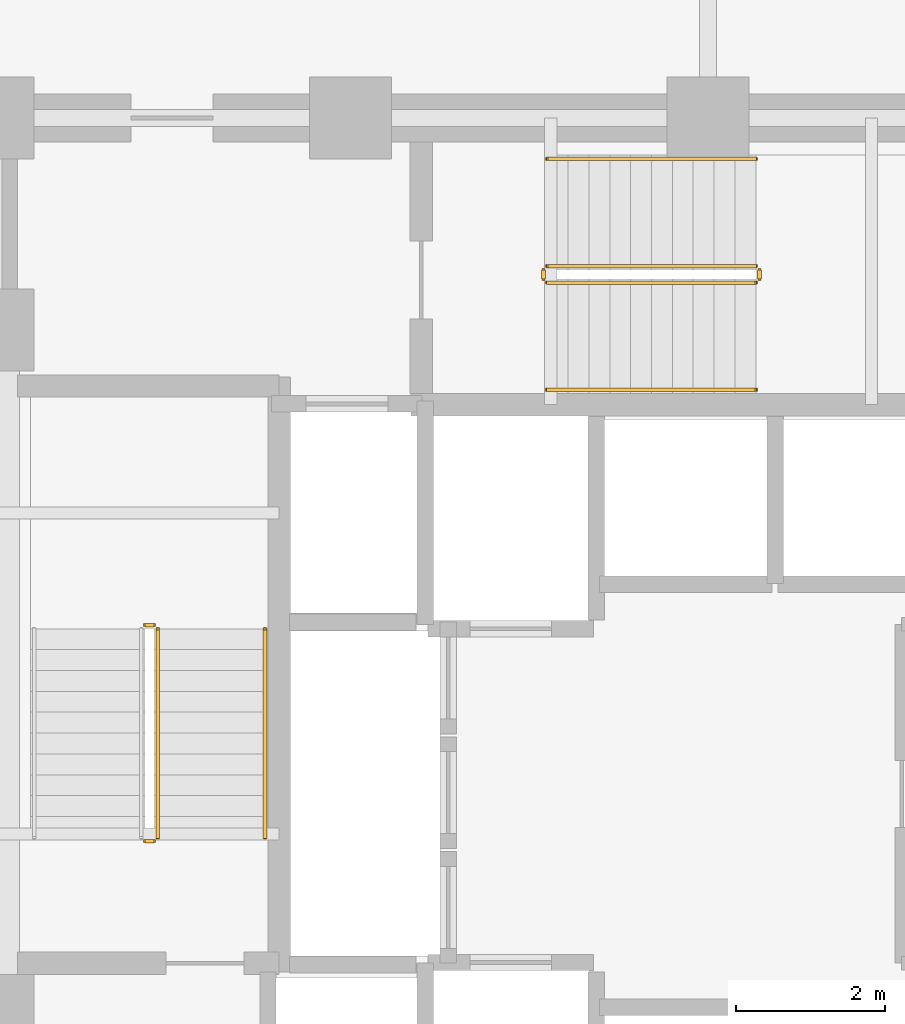
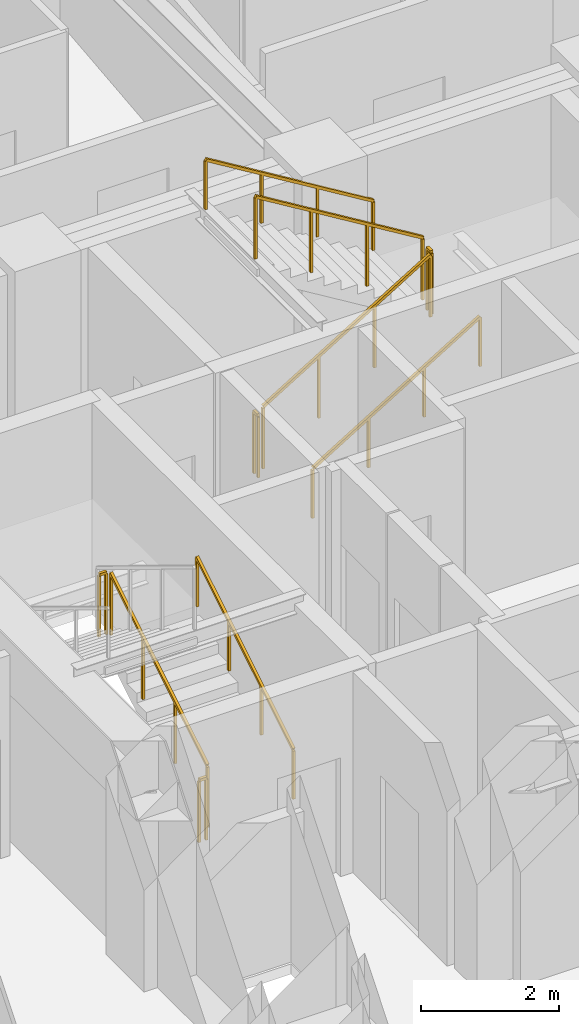
# One storey, part 26 of 29: 10 railings.
"""IFC4 building model written with IfcOpenShell, lengths in metres."""

from ifc_helpers import new_model, si_unit, direction, frame, origin, origin_2d, place, context, subcontext, project, spatial, rectangle, extrude, material, type_object, element, save


model = new_model("IFC4")

# Units and contexts
model_context = context("Model", 3, precision=1e-05, world=origin(), true_north=direction((0.0, 1.0)))
body_context = subcontext(model_context, "Body", "Model", "MODEL_VIEW")
ifc_project = project(units=[si_unit("LENGTHUNIT", "METRE"), si_unit("AREAUNIT", "SQUARE_METRE"), si_unit("VOLUMEUNIT", "CUBIC_METRE"), si_unit("PLANEANGLEUNIT", "RADIAN"), si_unit("MASSUNIT", "GRAM", prefix="KILO")], contexts=[model_context])

# Site, building, storey
site_placement = place(None, origin())
site = spatial("IfcSite", under=ifc_project, at=site_placement, CompositionType="ELEMENT")
building_placement = place(site_placement, origin())
building = spatial("IfcBuilding", under=site, at=building_placement, Name="Vantalir Tower", CompositionType="ELEMENT")
storey_placement = place(building_placement, frame((0.0, 0.0, 60.75)))
storey = spatial("IfcBuildingStorey", under=building, at=storey_placement, Name="L14", CompositionType="ELEMENT", Elevation=60.75)

# Railings
ifc_material_1 = material(Name="Anodised aluminium and stainless steel guard", Category="steel")
railing_type_1 = type_object("IfcRailingType", Name="RAL-GUARD-1120", PredefinedType="GUARDRAIL", material=ifc_material_1)
railing_1_placement = place(storey_placement, frame((24.110107421875, 22.7900390625, 0.17041015625)))
element("IfcRailing", 1, at=railing_1_placement, inside=storey, type_object=railing_type_1, Name="L14 ST1 stair guard 1", PredefinedType="GUARDRAIL", context=body_context, shape_type="SweptSolid", body=[
    extrude(rectangle(XDim=0.048095703125, YDim=0.048095703125, at=origin_2d()), frame((0.0, 0.0, 1.09619140625), z_axis=(0.0, 0.854169791009, 0.51999420009), x_axis=(-1.0, 0.0, 0.0)), (0.0, 0.0, 1.0), 3.278076171875),
    extrude(rectangle(XDim=0.0419921875, YDim=0.0419921875, at=origin_2d()), origin(), (0.0, 0.0, 1.0), 1.072021484375),
    extrude(rectangle(XDim=0.0419921875, YDim=0.0419921875, at=origin_2d()), frame((0.0, 0.933349609375, 0.568115234375)), (0.0, 0.0, 1.0), 1.072021484375),
    extrude(rectangle(XDim=0.0419921875, YDim=0.0419921875, at=origin_2d()), frame((0.0, 1.86669921875, 1.136474609375)), (0.0, 0.0, 1.0), 1.072021484375),
    extrude(rectangle(XDim=0.0419921875, YDim=0.0419921875, at=origin_2d()), frame((0.0, 2.800048828125, 1.70458984375)), (0.0, 0.0, 1.0), 1.072021484375),
])
for number, where, name in (
    (2, (24.06005859375, 25.639892578125, 1.875), "L14 ST1 stair guard 2"),
    (3, (24.06005859375, 22.739990234375, 0.0), "L14 ST1 stair guard 4"),
):
    element("IfcRailing", number, at=place(storey_placement, frame(where)), inside=storey, type_object=railing_type_1, Name=name, PredefinedType="GUARDRAIL", context=body_context, shape_type="SweptSolid", body=[
        extrude(rectangle(XDim=0.048095703125, YDim=0.048095703125, at=origin_2d()), frame((0.0, 0.0, 1.09619140625), z_axis=(-1.0, 0.0, 0.0), x_axis=(0.0, -1.0, 0.0)), (0.0, 0.0, 1.0), 0.1201171875),
        extrude(rectangle(XDim=0.0419921875, YDim=0.0419921875, at=origin_2d()), origin(), (0.0, 0.0, 1.0), 1.072021484375),
        extrude(rectangle(XDim=0.0419921875, YDim=0.0419921875, at=origin_2d()), frame((-0.1201171875, 0.0, 0.0)), (0.0, 0.0, 1.0), 1.072021484375),
    ])
railing_2_placement = place(storey_placement, frame((29.340087890625, 30.239990234375, 0.17041015625)))
element("IfcRailing", 4, at=railing_2_placement, inside=storey, type_object=railing_type_1, Name="L14 ST3 stair guard 1", PredefinedType="GUARDRAIL", context=body_context, shape_type="SweptSolid", body=[
    extrude(rectangle(XDim=0.048095703125, YDim=0.048095703125, at=origin_2d()), frame((0.0, 0.0, 1.09619140625), z_axis=(0.854149651119, 0.0, 0.520027281489), x_axis=(0.0, 1.0, 0.0)), (0.0, 0.0, 1.0), 3.27783203125),
    extrude(rectangle(XDim=0.0419921875, YDim=0.0419921875, at=origin_2d()), origin(), (0.0, 0.0, 1.0), 1.072021484375),
    extrude(rectangle(XDim=0.0419921875, YDim=0.0419921875, at=origin_2d()), frame((0.933349609375, 0.0, 0.568115234375)), (0.0, 0.0, 1.0), 1.072021484375),
    extrude(rectangle(XDim=0.0419921875, YDim=0.0419921875, at=origin_2d()), frame((1.866455078125, 0.0, 1.136474609375)), (0.0, 0.0, 1.0), 1.072021484375),
    extrude(rectangle(XDim=0.0419921875, YDim=0.0419921875, at=origin_2d()), frame((2.7998046875, 0.0, 1.70458984375)), (0.0, 0.0, 1.0), 1.072021484375),
])
railing_3_placement = place(storey_placement, frame((32.18994140625, 30.2900390625, 1.875)))
element("IfcRailing", 5, at=railing_3_placement, inside=storey, type_object=railing_type_1, Name="L14 ST3 stair guard 2", PredefinedType="GUARDRAIL", context=body_context, shape_type="SweptSolid", body=[
    extrude(rectangle(XDim=0.048095703125, YDim=0.048095703125, at=origin_2d()), frame((0.0, 0.0, 1.09619140625), z_axis=(0.0, 1.0, 0.0), x_axis=(-1.0, 0.0, 0.0)), (0.0, 0.0, 1.0), 0.119873046875),
    extrude(rectangle(XDim=0.0419921875, YDim=0.0419921875, at=origin_2d()), origin(), (0.0, 0.0, 1.0), 1.072021484375),
    extrude(rectangle(XDim=0.0419921875, YDim=0.0419921875, at=origin_2d()), frame((0.0, 0.119873046875, 0.0)), (0.0, 0.0, 1.0), 1.072021484375),
])
railing_4_placement = place(storey_placement, frame((32.139892578125, 30.4599609375, 2.04541015625)))
element("IfcRailing", 6, at=railing_4_placement, inside=storey, type_object=railing_type_1, Name="L14 ST3 stair guard 3", PredefinedType="GUARDRAIL", context=body_context, shape_type="SweptSolid", body=[
    extrude(rectangle(XDim=0.048095703125, YDim=0.048095703125, at=origin_2d()), frame((0.0, 0.0, 1.09619140625), z_axis=(-0.854149651119, 0.0, 0.520027281489), x_axis=(0.0, -1.0, 0.0)), (0.0, 0.0, 1.0), 3.27783203125),
    extrude(rectangle(XDim=0.0419921875, YDim=0.0419921875, at=origin_2d()), origin(), (0.0, 0.0, 1.0), 1.072021484375),
    extrude(rectangle(XDim=0.0419921875, YDim=0.0419921875, at=origin_2d()), frame((-0.933349609375, 0.0, 0.568115234375)), (0.0, 0.0, 1.0), 1.072021484375),
    extrude(rectangle(XDim=0.0419921875, YDim=0.0419921875, at=origin_2d()), frame((-1.866455078125, 0.0, 1.136474609375)), (0.0, 0.0, 1.0), 1.072021484375),
    extrude(rectangle(XDim=0.0419921875, YDim=0.0419921875, at=origin_2d()), frame((-2.7998046875, 0.0, 1.70458984375)), (0.0, 0.0, 1.0), 1.072021484375),
])
railing_5_placement = place(storey_placement, frame((29.2900390625, 30.2900390625, 0.0)))
element("IfcRailing", 7, at=railing_5_placement, inside=storey, type_object=railing_type_1, Name="L14 ST3 stair guard 4", PredefinedType="GUARDRAIL", context=body_context, shape_type="SweptSolid", body=[
    extrude(rectangle(XDim=0.048095703125, YDim=0.048095703125, at=origin_2d()), frame((0.0, 0.0, 1.09619140625), z_axis=(0.0, 1.0, 0.0), x_axis=(-1.0, 0.0, 0.0)), (0.0, 0.0, 1.0), 0.119873046875),
    extrude(rectangle(XDim=0.0419921875, YDim=0.0419921875, at=origin_2d()), origin(), (0.0, 0.0, 1.0), 1.072021484375),
    extrude(rectangle(XDim=0.0419921875, YDim=0.0419921875, at=origin_2d()), frame((0.0, 0.119873046875, 0.0)), (0.0, 0.0, 1.0), 1.072021484375),
])
ifc_material_2 = material(Name="Brushed stainless steel tubular handrail", Category="steel")
railing_type_2 = type_object("IfcRailingType", Name="RAL-HANDRAIL-900", PredefinedType="HANDRAIL", material=ifc_material_2)
railing_6_placement = place(storey_placement, frame((25.550048828125, 22.7900390625, 0.17041015625)))
element("IfcRailing", 8, at=railing_6_placement, inside=storey, type_object=railing_type_2, Name="L14 ST1 stair handrail 1", PredefinedType="HANDRAIL", context=body_context, shape_type="SweptSolid", body=[
    extrude(rectangle(XDim=0.048095703125, YDim=0.048095703125, at=origin_2d()), frame((0.0, 0.0, 0.8759765625), z_axis=(0.0, 0.854169791009, 0.51999420009), x_axis=(-1.0, 0.0, 0.0)), (0.0, 0.0, 1.0), 3.278076171875),
    extrude(rectangle(XDim=0.0419921875, YDim=0.0419921875, at=origin_2d()), origin(), (0.0, 0.0, 1.0), 0.851806640625),
    extrude(rectangle(XDim=0.0419921875, YDim=0.0419921875, at=origin_2d()), frame((0.0, 0.933349609375, 0.568115234375)), (0.0, 0.0, 1.0), 0.851806640625),
    extrude(rectangle(XDim=0.0419921875, YDim=0.0419921875, at=origin_2d()), frame((0.0, 1.86669921875, 1.136474609375)), (0.0, 0.0, 1.0), 0.851806640625),
    extrude(rectangle(XDim=0.0419921875, YDim=0.0419921875, at=origin_2d()), frame((0.0, 2.800048828125, 1.70458984375)), (0.0, 0.0, 1.0), 0.851806640625),
])
railing_7_placement = place(storey_placement, frame((29.340087890625, 28.800048828125, 0.17041015625)))
element("IfcRailing", 9, at=railing_7_placement, inside=storey, type_object=railing_type_2, Name="L14 ST3 stair handrail 1", PredefinedType="HANDRAIL", context=body_context, shape_type="SweptSolid", body=[
    extrude(rectangle(XDim=0.048095703125, YDim=0.048095703125, at=origin_2d()), frame((0.0, 0.0, 0.8759765625), z_axis=(0.854149651119, 0.0, 0.520027281489), x_axis=(0.0, 1.0, 0.0)), (0.0, 0.0, 1.0), 3.27783203125),
    extrude(rectangle(XDim=0.0419921875, YDim=0.0419921875, at=origin_2d()), origin(), (0.0, 0.0, 1.0), 0.851806640625),
    extrude(rectangle(XDim=0.0419921875, YDim=0.0419921875, at=origin_2d()), frame((0.933349609375, 0.0, 0.568115234375)), (0.0, 0.0, 1.0), 0.851806640625),
    extrude(rectangle(XDim=0.0419921875, YDim=0.0419921875, at=origin_2d()), frame((1.866455078125, 0.0, 1.136474609375)), (0.0, 0.0, 1.0), 0.851806640625),
    extrude(rectangle(XDim=0.0419921875, YDim=0.0419921875, at=origin_2d()), frame((2.7998046875, 0.0, 1.70458984375)), (0.0, 0.0, 1.0), 0.851806640625),
])
railing_8_placement = place(storey_placement, frame((32.139892578125, 31.89990234375, 2.04541015625)))
element("IfcRailing", 10, at=railing_8_placement, inside=storey, type_object=railing_type_2, Name="L14 ST3 stair handrail 2", PredefinedType="HANDRAIL", context=body_context, shape_type="SweptSolid", body=[
    extrude(rectangle(XDim=0.048095703125, YDim=0.048095703125, at=origin_2d()), frame((0.0, 0.0, 0.8759765625), z_axis=(-0.854149651119, 0.0, 0.520027281489), x_axis=(0.0, -1.0, 0.0)), (0.0, 0.0, 1.0), 3.27783203125),
    extrude(rectangle(XDim=0.0419921875, YDim=0.0419921875, at=origin_2d()), origin(), (0.0, 0.0, 1.0), 0.851806640625),
    extrude(rectangle(XDim=0.0419921875, YDim=0.0419921875, at=origin_2d()), frame((-0.933349609375, 0.0, 0.568115234375)), (0.0, 0.0, 1.0), 0.851806640625),
    extrude(rectangle(XDim=0.0419921875, YDim=0.0419921875, at=origin_2d()), frame((-1.866455078125, 0.0, 1.136474609375)), (0.0, 0.0, 1.0), 0.851806640625),
    extrude(rectangle(XDim=0.0419921875, YDim=0.0419921875, at=origin_2d()), frame((-2.7998046875, 0.0, 1.70458984375)), (0.0, 0.0, 1.0), 0.851806640625),
])

save(model, "model.ifc")
